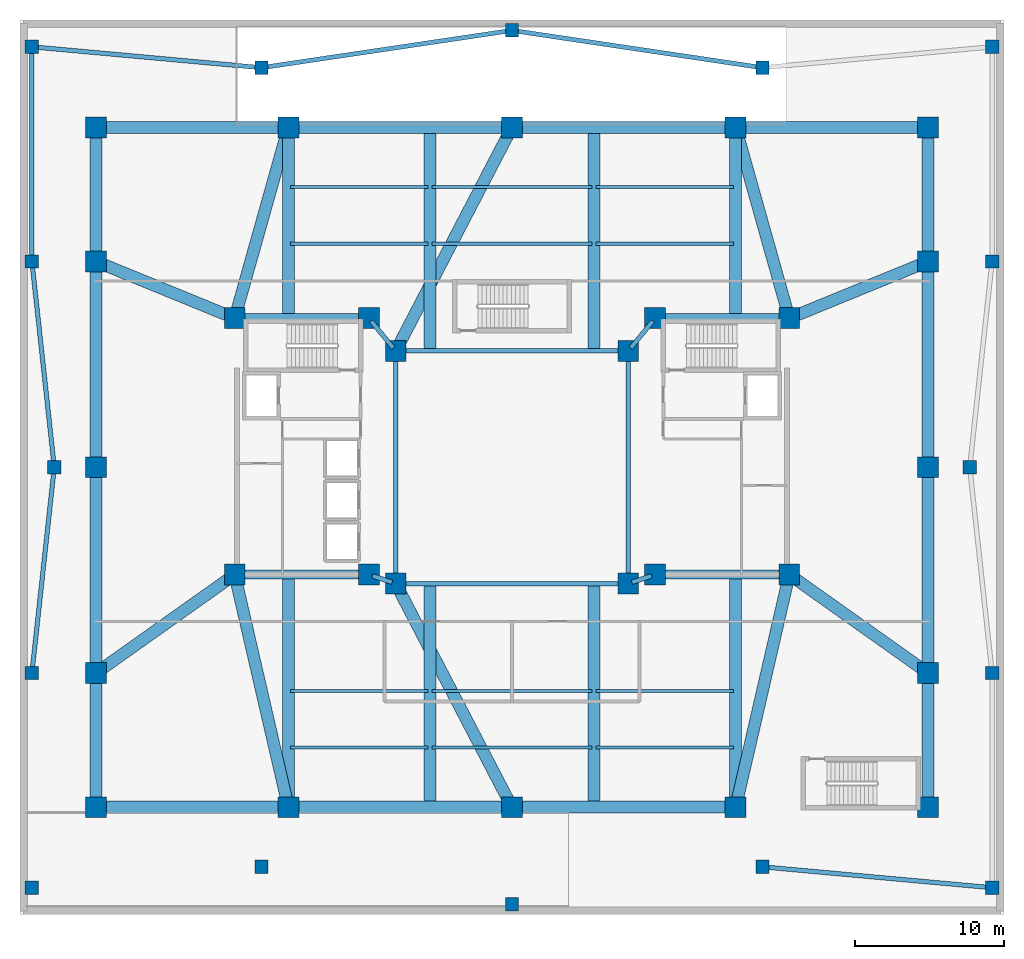
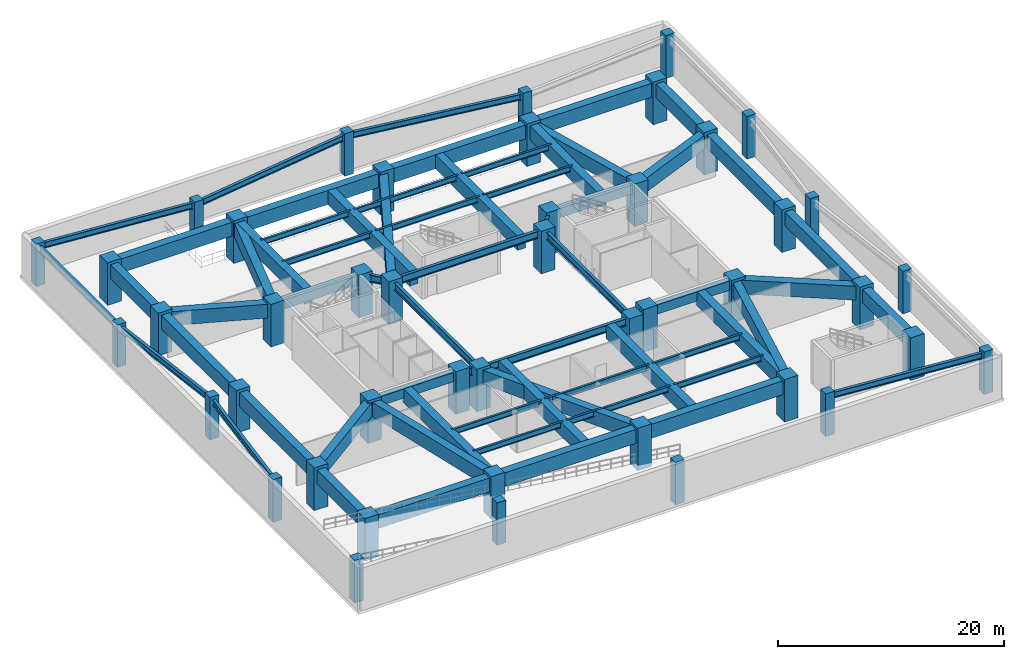
# One storey, part 1 of 8: 64 beams, 44 columns.
"""IFC4 building model written with IfcOpenShell, lengths in metres."""

from ifc_helpers import new_model, si_unit, direction, frame, origin, origin_2d, place, context, subcontext, project, spatial, rectangle, i_section, extrude, material, material_profile, profile_set, type_object, element, save


model = new_model("IFC4")

# Units and contexts
model_context = context("Model", 3, precision=1e-05, world=origin(), true_north=direction((0.0, 1.0)))
body_context = subcontext(model_context, "Body", "Model", "MODEL_VIEW")
ifc_project = project(units=[si_unit("LENGTHUNIT", "METRE"), si_unit("AREAUNIT", "SQUARE_METRE"), si_unit("VOLUMEUNIT", "CUBIC_METRE"), si_unit("PLANEANGLEUNIT", "RADIAN"), si_unit("MASSUNIT", "GRAM", prefix="KILO")], contexts=[model_context])

# Site, building, storey
site_placement = place(None, origin())
site = spatial("IfcSite", under=ifc_project, at=site_placement, CompositionType="ELEMENT")
building_placement = place(site_placement, origin())
building = spatial("IfcBuilding", under=site, at=building_placement, Name="Tarnavaz Court Tower", CompositionType="ELEMENT")
storey_placement = place(building_placement, frame((0.0, 0.0, -4.60009765625)))
storey = spatial("IfcBuildingStorey", under=building, at=storey_placement, Name="B01", CompositionType="ELEMENT", Elevation=-4.60009765625)

# Columns
ifc_material_1 = material(Name="Concrete C60/75", Category="concrete")
ifc_material_profile_1 = material_profile(ifc_material_1, rectangle(XDim=1.39990234375, YDim=1.39990234375, at=origin_2d()), Name="RC 1400X1400")
ifc_profile_set_1 = profile_set([ifc_material_profile_1], Name="Concrete C60/75")
column_type_1 = type_object("IfcColumnType", Name="CL-RC1400", PredefinedType="COLUMN", material=ifc_profile_set_1)
for number, where, z_axis, x_axis, name in (
    (1, (-7.800048828125, -7.800048828125, 0.0), (0.0, 0.0, 1.0), (1.0, 0.0, 0.0), "B01 Column IW-SW"),
    (2, (7.800048828125, -7.800048828125, 0.0), (0.0, 0.0, 1.0), (1.0, 0.0, 0.0), "B01 Column IW-SE"),
    (3, (-7.800048828125, 7.800048828125, 0.0), (0.0, 0.0, 1.0), (1.0, 0.0, 0.0), "B01 Column IW-NW"),
    (4, (7.800048828125, 7.800048828125, 0.0), (0.0, 0.0, 1.0), (1.0, 0.0, 0.0), "B01 Column IW-NE"),
    (5, (-9.60009765625, -7.199951171875, 0.0), (0.0, 0.0, 1.0), (1.0, 0.0, 0.0), "B01 Column CW-SI"),
    (6, (-9.60009765625, 10.0, 0.0), (0.0, 0.0, 1.0), (1.0, 0.0, 0.0), "B01 Column CW-NI"),
    (7, (9.60009765625, -7.199951171875, 0.0), (0.0, 0.0, 1.0), (1.0, 0.0, 0.0), "B01 Column CE-SI"),
    (8, (9.60009765625, 10.0, 0.0), (0.0, 0.0, 1.0), (1.0, 0.0, 0.0), "B01 Column CE-NI"),
    (9, (-18.60009765625, -7.199951171875, 0.0), (0.0, 0.0, 1.0), (1.0, 0.0, 0.0), "B01 Column CW-SO"),
    (10, (-18.60009765625, 10.0, 0.0), (0.0, 0.0, 1.0), (1.0, 0.0, 0.0), "B01 Column CW-NO"),
    (11, (18.60009765625, -7.199951171875, 0.0), (0.0, 0.0, 1.0), (1.0, 0.0, 0.0), "B01 Column CE-SO"),
    (12, (18.60009765625, 10.0, 0.0), (0.0, 0.0, 1.0), (1.0, 0.0, 0.0), "B01 Column CE-NO"),
    (13, (-27.89990234375, 22.800048828125, 0.0), (0.0, 0.0, 1.0), (1.0, 0.0, 0.0), "B01 Column PM-NW"),
    (14, (-15.0, 22.800048828125, 0.0), (0.0, 0.0, 1.0), (1.0, 0.0, 0.0), "B01 Column PM-N1"),
    (15, (0.0, 22.800048828125, 0.0), (0.0, 0.0, 1.0), (1.0, 0.0, 0.0), "B01 Column PM-N2"),
    (16, (15.0, 22.800048828125, 0.0), (0.0, 0.0, 1.0), (1.0, 0.0, 0.0), "B01 Column PM-N3"),
    (17, (27.89990234375, 22.800048828125, 0.0), (0.0, 0.0, 1.0), (1.0, 0.0, 0.0), "B01 Column PM-NE"),
    (18, (-27.89990234375, -22.800048828125, 0.0), (0.0, 0.0, 1.0), (1.0, 0.0, 0.0), "B01 Column PM-SW"),
    (19, (-15.0, -22.800048828125, 0.0), (0.0, 0.0, 1.0), (1.0, 0.0, 0.0), "B01 Column PM-S1"),
    (20, (0.0, -22.800048828125, 0.0), (0.0, 0.0, 1.0), (1.0, 0.0, 0.0), "B01 Column PM-S2"),
    (21, (15.0, -22.800048828125, 0.0), (0.0, 0.0, 1.0), (1.0, 0.0, 0.0), "B01 Column PM-S3"),
    (22, (27.89990234375, -22.800048828125, 0.0), (0.0, 0.0, 1.0), (1.0, 0.0, 0.0), "B01 Column PM-SE"),
    (23, (-27.89990234375, -13.800048828125, 0.0), (0.0, 0.0, 1.0), (1.0, 0.0, 0.0), "B01 Column PM-W1"),
    (24, (-27.89990234375, 0.0, 0.0), (0.0, 0.0, 1.0), (1.0, 0.0, 0.0), "B01 Column PM-W2"),
    (25, (-27.89990234375, 13.800048828125, 0.0), (0.0, 0.0, 1.0), (1.0, 0.0, 0.0), "B01 Column PM-W3"),
    (26, (27.89990234375, -13.800048828125, 0.0), (0.0, 0.0, 1.0), (1.0, 0.0, 0.0), "B01 Column PM-E1"),
    (27, (27.89990234375, 0.0, 0.0), (0.0, 0.0, 1.0), (1.0, 0.0, 0.0), "B01 Column PM-E2"),
    (28, (27.89990234375, 13.800048828125, 0.0), (0.0, 0.0, 1.0), (1.0, 0.0, 0.0), "B01 Column PM-E3"),
):
    element("IfcColumn", number, at=place(storey_placement, frame(where, z_axis=z_axis, x_axis=x_axis)), inside=storey, type_object=column_type_1, Name=name, PredefinedType="COLUMN", context=body_context, shape_type="SweptSolid", body=[
        extrude(rectangle(XDim=1.39990234375, YDim=1.39990234375, at=origin_2d()), origin(), (0.0, 0.0, 1.0), 4.60009765625),
    ])
ifc_material_2 = material(Name="Concrete C50/60", Category="concrete")
ifc_material_profile_2 = material_profile(ifc_material_2, rectangle(XDim=0.89990234375, YDim=0.89990234375, at=origin_2d()), Name="RC 900X900")
ifc_profile_set_2 = profile_set([ifc_material_profile_2], Name="Concrete C50/60")
column_type_2 = type_object("IfcColumnType", Name="CL-RC900", PredefinedType="COLUMN", material=ifc_profile_set_2)
for number, where, z_axis, x_axis, name in (
    (29, (-32.199951171875, -28.199951171875, 0.0), (0.0, 0.0, 1.0), (1.0, 0.0, 0.0), "B01 Column POD-SW1"),
    (30, (-32.199951171875, -13.800048828125, 0.0), (0.0, 0.0, 1.0), (1.0, 0.0, 0.0), "B01 Column POD-W1"),
    (31, (-30.699951171875, 0.0, 0.0), (0.0, 0.0, 1.0), (1.0, 0.0, 0.0), "B01 Column POD-W2"),
    (32, (-32.199951171875, 13.800048828125, 0.0), (0.0, 0.0, 1.0), (1.0, 0.0, 0.0), "B01 Column POD-W3"),
    (33, (-32.199951171875, 28.199951171875, 0.0), (0.0, 0.0, 1.0), (1.0, 0.0, 0.0), "B01 Column POD-NW1"),
    (34, (32.199951171875, -28.199951171875, 0.0), (0.0, 0.0, 1.0), (1.0, 0.0, 0.0), "B01 Column POD-SE1"),
    (35, (32.199951171875, -13.800048828125, 0.0), (0.0, 0.0, 1.0), (1.0, 0.0, 0.0), "B01 Column POD-E1"),
    (36, (30.699951171875, 0.0, 0.0), (0.0, 0.0, 1.0), (1.0, 0.0, 0.0), "B01 Column POD-E2"),
    (37, (32.199951171875, 13.800048828125, 0.0), (0.0, 0.0, 1.0), (1.0, 0.0, 0.0), "B01 Column POD-E3"),
    (38, (32.199951171875, 28.199951171875, 0.0), (0.0, 0.0, 1.0), (1.0, 0.0, 0.0), "B01 Column POD-NE1"),
    (39, (-16.800048828125, -26.800048828125, 0.0), (0.0, 0.0, 1.0), (1.0, 0.0, 0.0), "B01 Column POD-S1"),
    (40, (0.0, -29.300048828125, 0.0), (0.0, 0.0, 1.0), (1.0, 0.0, 0.0), "B01 Column POD-S2"),
    (41, (16.800048828125, -26.800048828125, 0.0), (0.0, 0.0, 1.0), (1.0, 0.0, 0.0), "B01 Column POD-S3"),
    (42, (-16.800048828125, 26.800048828125, 0.0), (0.0, 0.0, 1.0), (1.0, 0.0, 0.0), "B01 Column POD-N1"),
    (43, (0.0, 29.300048828125, 0.0), (0.0, 0.0, 1.0), (1.0, 0.0, 0.0), "B01 Column POD-N2"),
    (44, (16.800048828125, 26.800048828125, 0.0), (0.0, 0.0, 1.0), (1.0, 0.0, 0.0), "B01 Column POD-N3"),
):
    element("IfcColumn", number, at=place(storey_placement, frame(where, z_axis=z_axis, x_axis=x_axis)), inside=storey, type_object=column_type_2, Name=name, PredefinedType="COLUMN", context=body_context, shape_type="SweptSolid", body=[
        extrude(rectangle(XDim=0.89990234375, YDim=0.89990234375, at=origin_2d()), origin(), (0.0, 0.0, 1.0), 4.60009765625),
    ])

# Beams
ifc_material_profile_3 = material_profile(ifc_material_1, rectangle(XDim=0.60009765625, YDim=1.0, at=origin_2d()), Name="RC 600X1000")
ifc_profile_set_3 = profile_set([ifc_material_profile_3], Name="Concrete C60/75")
beam_type_1 = type_object("IfcBeamType", Name="BM-CB1000", PredefinedType="LINTEL", material=ifc_profile_set_3)
for number, where, z_axis, x_axis, name in (
    (45, (-18.35009765625, -7.199951171875, 3.800048828125), (1.0, 0.0, 0.0), (0.0, 1.0, 0.0), "B01 Beam CW-SO-CW-SI"),
    (46, (-18.35009765625, 10.0, 3.800048828125), (1.0, 0.0, 0.0), (0.0, 1.0, 0.0), "B01 Beam CW-NO-CW-NI"),
    (47, (18.35009765625, -7.199951171875, 3.800048828125), (-1.0, 0.0, 0.0), (0.0, -1.0, 0.0), "B01 Beam CE-SO-CE-SI"),
    (48, (18.35009765625, 10.0, 3.800048828125), (-1.0, 0.0, 0.0), (0.0, -1.0, 0.0), "B01 Beam CE-NO-CE-NI"),
):
    element("IfcBeam", number, at=place(storey_placement, frame(where, z_axis=z_axis, x_axis=x_axis)), inside=storey, type_object=beam_type_1, Name=name, PredefinedType="LINTEL", context=body_context, shape_type="SweptSolid", body=[
        extrude(rectangle(XDim=0.60009765625, YDim=1.0, at=origin_2d()), origin(), (0.0, 0.0, 1.0), 8.5),
    ])
ifc_material_3 = material(Name="Steel S355", Category="steel")
ifc_material_profile_4 = material_profile(ifc_material_3, i_section(OverallWidth=0.300048828125, OverallDepth=0.800048828125, WebThickness=0.017578125, FlangeThickness=0.032958984375, FilletRadius=0.030029296875, at=origin_2d()), Name="HEB 800")
ifc_profile_set_4 = profile_set([ifc_material_profile_4], Name="Steel S355")
beam_type_2 = type_object("IfcBeamType", Name="BM-G-HEB800", PredefinedType="USERDEFINED", material=ifc_profile_set_4)
for number, where, z_axis, x_axis, name in (
    (49, (-7.550048828125, -7.800048828125, 3.900146484375), (1.0, 0.0, 0.0), (0.0, 1.0, 0.0), "B01 Beam IW-SW-IW-SE"),
    (50, (-7.550048828125, 7.800048828125, 3.900146484375), (1.0, 0.0, 0.0), (0.0, 1.0, 0.0), "B01 Beam IW-NW-IW-NE"),
    (51, (-7.800048828125, -7.550048828125, 3.900146484375), (0.0, 1.0, 0.0), (-1.0, 0.0, 0.0), "B01 Beam IW-SW-IW-NW"),
    (52, (7.800048828125, -7.550048828125, 3.900146484375), (0.0, 1.0, 0.0), (-1.0, 0.0, 0.0), "B01 Beam IW-SE-IW-NE"),
):
    element("IfcBeam", number, at=place(storey_placement, frame(where, z_axis=z_axis, x_axis=x_axis)), inside=storey, type_object=beam_type_2, Name=name, ObjectType="GIRDER", PredefinedType="USERDEFINED", context=body_context, shape_type="SweptSolid", body=[
        extrude(i_section(OverallWidth=0.300048828125, OverallDepth=0.800048828125, WebThickness=0.017578125, FlangeThickness=0.032958984375, FilletRadius=0.030029296875, at=origin_2d()), origin(), (0.0, 0.0, 1.0), 15.10009765625),
    ])
for number, where, z_axis, x_axis, name in (
    (53, (-9.36279296875, -7.279052734375, 3.900146484375), (0.948683298051, -0.316227766017, 0.0), (0.316227766017, 0.948683298051, 0.0), "B01 Beam CW-SI-IW-SW"),
    (54, (9.36279296875, -7.279052734375, 3.900146484375), (-0.948683298051, -0.316227766017, 0.0), (0.316227766017, -0.948683298051, 0.0), "B01 Beam CE-SI-IW-SE"),
):
    element("IfcBeam", number, at=place(storey_placement, frame(where, z_axis=z_axis, x_axis=x_axis)), inside=storey, type_object=beam_type_2, Name=name, ObjectType="GIRDER", PredefinedType="USERDEFINED", context=body_context, shape_type="SweptSolid", body=[
        extrude(i_section(OverallWidth=0.300048828125, OverallDepth=0.800048828125, WebThickness=0.017578125, FlangeThickness=0.032958984375, FilletRadius=0.030029296875, at=origin_2d()), origin(), (0.0, 0.0, 1.0), 1.3974609375),
    ])
for number, where, z_axis, x_axis, name in (
    (55, (-9.441650390625, 9.806396484375, 3.900146484375), (0.633249141033, -0.773948012066, 0.0), (0.773948012066, 0.633249141033, 0.0), "B01 Beam CW-NI-IW-NW"),
    (56, (9.441650390625, 9.806396484375, 3.900146484375), (-0.633249141033, -0.773948012066, 0.0), (0.773948012066, -0.633249141033, 0.0), "B01 Beam CE-NI-IW-NE"),
):
    element("IfcBeam", number, at=place(storey_placement, frame(where, z_axis=z_axis, x_axis=x_axis)), inside=storey, type_object=beam_type_2, Name=name, ObjectType="GIRDER", PredefinedType="USERDEFINED", context=body_context, shape_type="SweptSolid", body=[
        extrude(i_section(OverallWidth=0.300048828125, OverallDepth=0.800048828125, WebThickness=0.017578125, FlangeThickness=0.032958984375, FilletRadius=0.030029296875, at=origin_2d()), origin(), (0.0, 0.0, 1.0), 2.342529296875),
    ])
ifc_material_profile_5 = material_profile(ifc_material_3, i_section(OverallWidth=0.219970703125, OverallDepth=0.60009765625, WebThickness=0.011962890625, FlangeThickness=0.01904296875, FilletRadius=0.02392578125, at=origin_2d()), Name="IPE 600")
ifc_profile_set_5 = profile_set([ifc_material_profile_5], Name="Steel S355")
beam_type_3 = type_object("IfcBeamType", Name="BM-J-IPE600", PredefinedType="JOIST", material=ifc_profile_set_5)
beam_1_placement = place(storey_placement, frame((-14.85009765625, 15.0, 4.0), z_axis=(1.0, 0.0, 0.0), x_axis=(0.0, 1.0, 0.0)))
element("IfcBeam", 57, at=beam_1_placement, inside=storey, type_object=beam_type_3, Name="B01 Beam PJN-1-1", PredefinedType="JOIST", context=body_context, shape_type="SweptSolid", body=[
    extrude(i_section(OverallWidth=0.219970703125, OverallDepth=0.60009765625, WebThickness=0.011962890625, FlangeThickness=0.01904296875, FilletRadius=0.02392578125, at=origin_2d()), origin(), (0.0, 0.0, 1.0), 9.2001953125),
])
beam_2_placement = place(storey_placement, frame((-5.35009765625, 15.0, 4.0), z_axis=(1.0, 0.0, 0.0), x_axis=(0.0, 1.0, 0.0)))
element("IfcBeam", 58, at=beam_2_placement, inside=storey, type_object=beam_type_3, Name="B01 Beam PJN-1-2", PredefinedType="JOIST", context=body_context, shape_type="SweptSolid", body=[
    extrude(i_section(OverallWidth=0.219970703125, OverallDepth=0.60009765625, WebThickness=0.011962890625, FlangeThickness=0.01904296875, FilletRadius=0.02392578125, at=origin_2d()), origin(), (0.0, 0.0, 1.0), 10.7001953125),
])
for number, where, z_axis, x_axis, name in (
    (59, (5.64990234375, 15.0, 4.0), (1.0, 0.0, 0.0), (0.0, 1.0, 0.0), "B01 Beam PJN-1-3"),
    (60, (-14.85009765625, 18.800048828125, 4.0), (1.0, 0.0, 0.0), (0.0, 1.0, 0.0), "B01 Beam PJN-2-1"),
):
    element("IfcBeam", number, at=place(storey_placement, frame(where, z_axis=z_axis, x_axis=x_axis)), inside=storey, type_object=beam_type_3, Name=name, PredefinedType="JOIST", context=body_context, shape_type="SweptSolid", body=[
        extrude(i_section(OverallWidth=0.219970703125, OverallDepth=0.60009765625, WebThickness=0.011962890625, FlangeThickness=0.01904296875, FilletRadius=0.02392578125, at=origin_2d()), origin(), (0.0, 0.0, 1.0), 9.2001953125),
    ])
beam_3_placement = place(storey_placement, frame((-5.35009765625, 18.800048828125, 4.0), z_axis=(1.0, 0.0, 0.0), x_axis=(0.0, 1.0, 0.0)))
element("IfcBeam", 61, at=beam_3_placement, inside=storey, type_object=beam_type_3, Name="B01 Beam PJN-2-2", PredefinedType="JOIST", context=body_context, shape_type="SweptSolid", body=[
    extrude(i_section(OverallWidth=0.219970703125, OverallDepth=0.60009765625, WebThickness=0.011962890625, FlangeThickness=0.01904296875, FilletRadius=0.02392578125, at=origin_2d()), origin(), (0.0, 0.0, 1.0), 10.7001953125),
])
for number, where, z_axis, x_axis, name in (
    (62, (5.64990234375, 18.800048828125, 4.0), (1.0, 0.0, 0.0), (0.0, 1.0, 0.0), "B01 Beam PJN-2-3"),
    (63, (-14.85009765625, -15.0, 4.0), (1.0, 0.0, 0.0), (0.0, 1.0, 0.0), "B01 Beam PJS-1-1"),
):
    element("IfcBeam", number, at=place(storey_placement, frame(where, z_axis=z_axis, x_axis=x_axis)), inside=storey, type_object=beam_type_3, Name=name, PredefinedType="JOIST", context=body_context, shape_type="SweptSolid", body=[
        extrude(i_section(OverallWidth=0.219970703125, OverallDepth=0.60009765625, WebThickness=0.011962890625, FlangeThickness=0.01904296875, FilletRadius=0.02392578125, at=origin_2d()), origin(), (0.0, 0.0, 1.0), 9.2001953125),
    ])
beam_4_placement = place(storey_placement, frame((-5.35009765625, -15.0, 4.0), z_axis=(1.0, 0.0, 0.0), x_axis=(0.0, 1.0, 0.0)))
element("IfcBeam", 64, at=beam_4_placement, inside=storey, type_object=beam_type_3, Name="B01 Beam PJS-1-2", PredefinedType="JOIST", context=body_context, shape_type="SweptSolid", body=[
    extrude(i_section(OverallWidth=0.219970703125, OverallDepth=0.60009765625, WebThickness=0.011962890625, FlangeThickness=0.01904296875, FilletRadius=0.02392578125, at=origin_2d()), origin(), (0.0, 0.0, 1.0), 10.7001953125),
])
for number, where, z_axis, x_axis, name in (
    (65, (5.64990234375, -15.0, 4.0), (1.0, 0.0, 0.0), (0.0, 1.0, 0.0), "B01 Beam PJS-1-3"),
    (66, (-14.85009765625, -18.800048828125, 4.0), (1.0, 0.0, 0.0), (0.0, 1.0, 0.0), "B01 Beam PJS-2-1"),
):
    element("IfcBeam", number, at=place(storey_placement, frame(where, z_axis=z_axis, x_axis=x_axis)), inside=storey, type_object=beam_type_3, Name=name, PredefinedType="JOIST", context=body_context, shape_type="SweptSolid", body=[
        extrude(i_section(OverallWidth=0.219970703125, OverallDepth=0.60009765625, WebThickness=0.011962890625, FlangeThickness=0.01904296875, FilletRadius=0.02392578125, at=origin_2d()), origin(), (0.0, 0.0, 1.0), 9.2001953125),
    ])
beam_5_placement = place(storey_placement, frame((-5.35009765625, -18.800048828125, 4.0), z_axis=(1.0, 0.0, 0.0), x_axis=(0.0, 1.0, 0.0)))
element("IfcBeam", 67, at=beam_5_placement, inside=storey, type_object=beam_type_3, Name="B01 Beam PJS-2-2", PredefinedType="JOIST", context=body_context, shape_type="SweptSolid", body=[
    extrude(i_section(OverallWidth=0.219970703125, OverallDepth=0.60009765625, WebThickness=0.011962890625, FlangeThickness=0.01904296875, FilletRadius=0.02392578125, at=origin_2d()), origin(), (0.0, 0.0, 1.0), 10.7001953125),
])
beam_6_placement = place(storey_placement, frame((5.64990234375, -18.800048828125, 4.0), z_axis=(1.0, 0.0, 0.0), x_axis=(0.0, 1.0, 0.0)))
element("IfcBeam", 68, at=beam_6_placement, inside=storey, type_object=beam_type_3, Name="B01 Beam PJS-2-3", PredefinedType="JOIST", context=body_context, shape_type="SweptSolid", body=[
    extrude(i_section(OverallWidth=0.219970703125, OverallDepth=0.60009765625, WebThickness=0.011962890625, FlangeThickness=0.01904296875, FilletRadius=0.02392578125, at=origin_2d()), origin(), (0.0, 0.0, 1.0), 9.2001953125),
])
ifc_material_profile_6 = material_profile(ifc_material_3, i_section(OverallWidth=0.300048828125, OverallDepth=0.639892578125, WebThickness=0.013427734375, FlangeThickness=0.02587890625, FilletRadius=0.027099609375, at=origin_2d()), Name="HEA 650")
ifc_profile_set_6 = profile_set([ifc_material_profile_6], Name="Steel S355")
beam_type_4 = type_object("IfcBeamType", Name="BM-SP-HEA650", PredefinedType="SPANDREL", material=ifc_profile_set_6)
for number, where, z_axis, x_axis, name in (
    (69, (-32.178466796875, -13.601318359375, 3.97998046875), (0.10805801352, 0.994144589944, 0.0), (-0.994144589944, 0.10805801352, 0.0), "B01 Beam PR-POD-W1-POD-W2"),
    (70, (-30.7216796875, 0.19873046875, 3.97998046875), (-0.10805801352, 0.994144589944, 0.0), (-0.994144589944, -0.10805801352, 0.0), "B01 Beam PR-POD-W2-POD-W3"),
):
    element("IfcBeam", number, at=place(storey_placement, frame(where, z_axis=z_axis, x_axis=x_axis)), inside=storey, type_object=beam_type_4, Name=name, PredefinedType="SPANDREL", context=body_context, shape_type="SweptSolid", body=[
        extrude(i_section(OverallWidth=0.300048828125, OverallDepth=0.639892578125, WebThickness=0.013427734375, FlangeThickness=0.02587890625, FilletRadius=0.027099609375, at=origin_2d()), origin(), (0.0, 0.0, 1.0), 13.4814453125),
    ])
beam_7_placement = place(storey_placement, frame((-32.199951171875, 14.0, 3.97998046875), z_axis=(0.0, 1.0, 0.0), x_axis=(-1.0, 0.0, 0.0)))
element("IfcBeam", 71, at=beam_7_placement, inside=storey, type_object=beam_type_4, Name="B01 Beam PR-POD-W3-POD-NW1", PredefinedType="SPANDREL", context=body_context, shape_type="SweptSolid", body=[
    extrude(i_section(OverallWidth=0.300048828125, OverallDepth=0.639892578125, WebThickness=0.013427734375, FlangeThickness=0.02587890625, FilletRadius=0.027099609375, at=origin_2d()), origin(), (0.0, 0.0, 1.0), 14.0),
])
for number, where, z_axis, x_axis, name in (
    (72, (16.999267578125, -26.818115234375, 3.97998046875), (0.995893206468, -0.090535746043, 0.0), (0.090535746043, 0.995893206468, 0.0), "B01 Beam PR-POD-S3-POD-SE1"),
    (73, (-32.000732421875, 28.181884765625, 3.97998046875), (0.995893206468, -0.090535746043, 0.0), (0.090535746043, 0.995893206468, 0.0), "B01 Beam PR-POD-NW1-POD-N1"),
):
    element("IfcBeam", number, at=place(storey_placement, frame(where, z_axis=z_axis, x_axis=x_axis)), inside=storey, type_object=beam_type_4, Name=name, PredefinedType="SPANDREL", context=body_context, shape_type="SweptSolid", body=[
        extrude(i_section(OverallWidth=0.300048828125, OverallDepth=0.639892578125, WebThickness=0.013427734375, FlangeThickness=0.02587890625, FilletRadius=0.027099609375, at=origin_2d()), origin(), (0.0, 0.0, 1.0), 15.063232421875),
    ])
for number, where, z_axis, x_axis, name in (
    (74, (-16.602294921875, 26.829345703125, 3.97998046875), (0.989108332922, 0.147189353368, 0.0), (-0.147189353368, 0.989108332922, 0.0), "B01 Beam PR-POD-N1-POD-N2"),
    (75, (0.19775390625, 29.2705078125, 3.97998046875), (0.989108332922, -0.147189353368, 0.0), (0.147189353368, 0.989108332922, 0.0), "B01 Beam PR-POD-N2-POD-N3"),
):
    element("IfcBeam", number, at=place(storey_placement, frame(where, z_axis=z_axis, x_axis=x_axis)), inside=storey, type_object=beam_type_4, Name=name, PredefinedType="SPANDREL", context=body_context, shape_type="SweptSolid", body=[
        extrude(i_section(OverallWidth=0.300048828125, OverallDepth=0.639892578125, WebThickness=0.013427734375, FlangeThickness=0.02587890625, FilletRadius=0.027099609375, at=origin_2d()), origin(), (0.0, 0.0, 1.0), 16.585205078125),
    ])
ifc_material_profile_7 = material_profile(ifc_material_2, rectangle(XDim=0.800048828125, YDim=1.5, at=origin_2d()), Name="RC 800X1500")
ifc_profile_set_7 = profile_set([ifc_material_profile_7], Name="Concrete C50/60")
beam_type_5 = type_object("IfcBeamType", Name="BM-TG1500", PredefinedType="USERDEFINED", material=ifc_profile_set_7)
beam_8_placement = place(storey_placement, frame((-27.64990234375, 22.800048828125, 3.550048828125), z_axis=(1.0, 0.0, 0.0), x_axis=(0.0, 1.0, 0.0)))
element("IfcBeam", 76, at=beam_8_placement, inside=storey, type_object=beam_type_5, Name="B01 Beam PM-PM-NW-PM-N1", ObjectType="GIRDER", PredefinedType="USERDEFINED", context=body_context, shape_type="SweptSolid", body=[
    extrude(rectangle(XDim=0.800048828125, YDim=1.5, at=origin_2d()), origin(), (0.0, 0.0, 1.0), 12.39990234375),
])
for number, where, z_axis, x_axis, name in (
    (77, (-14.75, 22.800048828125, 3.550048828125), (1.0, 0.0, 0.0), (0.0, 1.0, 0.0), "B01 Beam PM-PM-N1-PM-N2"),
    (78, (0.25, 22.800048828125, 3.550048828125), (1.0, 0.0, 0.0), (0.0, 1.0, 0.0), "B01 Beam PM-PM-N2-PM-N3"),
):
    element("IfcBeam", number, at=place(storey_placement, frame(where, z_axis=z_axis, x_axis=x_axis)), inside=storey, type_object=beam_type_5, Name=name, ObjectType="GIRDER", PredefinedType="USERDEFINED", context=body_context, shape_type="SweptSolid", body=[
        extrude(rectangle(XDim=0.800048828125, YDim=1.5, at=origin_2d()), origin(), (0.0, 0.0, 1.0), 14.5),
    ])
for number, where, z_axis, x_axis, name in (
    (79, (15.25, 22.800048828125, 3.550048828125), (1.0, 0.0, 0.0), (0.0, 1.0, 0.0), "B01 Beam PM-PM-N3-PM-NE"),
    (80, (-27.64990234375, -22.800048828125, 3.550048828125), (1.0, 0.0, 0.0), (0.0, 1.0, 0.0), "B01 Beam PM-PM-SW-PM-S1"),
):
    element("IfcBeam", number, at=place(storey_placement, frame(where, z_axis=z_axis, x_axis=x_axis)), inside=storey, type_object=beam_type_5, Name=name, ObjectType="GIRDER", PredefinedType="USERDEFINED", context=body_context, shape_type="SweptSolid", body=[
        extrude(rectangle(XDim=0.800048828125, YDim=1.5, at=origin_2d()), origin(), (0.0, 0.0, 1.0), 12.39990234375),
    ])
for number, where, z_axis, x_axis, name in (
    (81, (-14.75, -22.800048828125, 3.550048828125), (1.0, 0.0, 0.0), (0.0, 1.0, 0.0), "B01 Beam PM-PM-S1-PM-S2"),
    (82, (0.25, -22.800048828125, 3.550048828125), (1.0, 0.0, 0.0), (0.0, 1.0, 0.0), "B01 Beam PM-PM-S2-PM-S3"),
):
    element("IfcBeam", number, at=place(storey_placement, frame(where, z_axis=z_axis, x_axis=x_axis)), inside=storey, type_object=beam_type_5, Name=name, ObjectType="GIRDER", PredefinedType="USERDEFINED", context=body_context, shape_type="SweptSolid", body=[
        extrude(rectangle(XDim=0.800048828125, YDim=1.5, at=origin_2d()), origin(), (0.0, 0.0, 1.0), 14.5),
    ])
beam_9_placement = place(storey_placement, frame((-27.89990234375, -22.550048828125, 3.550048828125), z_axis=(0.0, 1.0, 0.0), x_axis=(-1.0, 0.0, 0.0)))
element("IfcBeam", 83, at=beam_9_placement, inside=storey, type_object=beam_type_5, Name="B01 Beam PM-PM-SW-PM-W1", ObjectType="GIRDER", PredefinedType="USERDEFINED", context=body_context, shape_type="SweptSolid", body=[
    extrude(rectangle(XDim=0.800048828125, YDim=1.5, at=origin_2d()), origin(), (0.0, 0.0, 1.0), 8.5),
])
for number, where, z_axis, x_axis, name in (
    (84, (-27.89990234375, -13.550048828125, 3.550048828125), (0.0, 1.0, 0.0), (-1.0, 0.0, 0.0), "B01 Beam PM-PM-W1-PM-W2"),
    (85, (-27.89990234375, 0.25, 3.550048828125), (0.0, 1.0, 0.0), (-1.0, 0.0, 0.0), "B01 Beam PM-PM-W2-PM-W3"),
):
    element("IfcBeam", number, at=place(storey_placement, frame(where, z_axis=z_axis, x_axis=x_axis)), inside=storey, type_object=beam_type_5, Name=name, ObjectType="GIRDER", PredefinedType="USERDEFINED", context=body_context, shape_type="SweptSolid", body=[
        extrude(rectangle(XDim=0.800048828125, YDim=1.5, at=origin_2d()), origin(), (0.0, 0.0, 1.0), 13.300048828125),
    ])
for number, where, z_axis, x_axis, name in (
    (86, (-27.89990234375, 14.050048828125, 3.550048828125), (0.0, 1.0, 0.0), (-1.0, 0.0, 0.0), "B01 Beam PM-PM-W3-PM-NW"),
    (87, (27.89990234375, -22.550048828125, 3.550048828125), (0.0, 1.0, 0.0), (-1.0, 0.0, 0.0), "B01 Beam PM-PM-SE-PM-E1"),
):
    element("IfcBeam", number, at=place(storey_placement, frame(where, z_axis=z_axis, x_axis=x_axis)), inside=storey, type_object=beam_type_5, Name=name, ObjectType="GIRDER", PredefinedType="USERDEFINED", context=body_context, shape_type="SweptSolid", body=[
        extrude(rectangle(XDim=0.800048828125, YDim=1.5, at=origin_2d()), origin(), (0.0, 0.0, 1.0), 8.5),
    ])
for number, where, z_axis, x_axis, name in (
    (88, (27.89990234375, -13.550048828125, 3.550048828125), (0.0, 1.0, 0.0), (-1.0, 0.0, 0.0), "B01 Beam PM-PM-E1-PM-E2"),
    (89, (27.89990234375, 0.25, 3.550048828125), (0.0, 1.0, 0.0), (-1.0, 0.0, 0.0), "B01 Beam PM-PM-E2-PM-E3"),
):
    element("IfcBeam", number, at=place(storey_placement, frame(where, z_axis=z_axis, x_axis=x_axis)), inside=storey, type_object=beam_type_5, Name=name, ObjectType="GIRDER", PredefinedType="USERDEFINED", context=body_context, shape_type="SweptSolid", body=[
        extrude(rectangle(XDim=0.800048828125, YDim=1.5, at=origin_2d()), origin(), (0.0, 0.0, 1.0), 13.300048828125),
    ])
beam_10_placement = place(storey_placement, frame((27.89990234375, 14.050048828125, 3.550048828125), z_axis=(0.0, 1.0, 0.0), x_axis=(-1.0, 0.0, 0.0)))
element("IfcBeam", 90, at=beam_10_placement, inside=storey, type_object=beam_type_5, Name="B01 Beam PM-PM-E3-PM-NE", ObjectType="GIRDER", PredefinedType="USERDEFINED", context=body_context, shape_type="SweptSolid", body=[
    extrude(rectangle(XDim=0.800048828125, YDim=1.5, at=origin_2d()), origin(), (0.0, 0.0, 1.0), 8.5),
])
beam_11_placement = place(storey_placement, frame((-18.5322265625, 10.24072265625, 3.550048828125), z_axis=(0.270745024415, 0.962651095545, 0.0), x_axis=(-0.962651095545, 0.270745024415, 0.0)))
element("IfcBeam", 91, at=beam_11_placement, inside=storey, type_object=beam_type_5, Name="B01 Beam PM-CW-NO-PM-N1", ObjectType="GIRDER", PredefinedType="USERDEFINED", context=body_context, shape_type="SweptSolid", body=[
    extrude(rectangle(XDim=0.800048828125, YDim=1.5, at=origin_2d()), origin(), (0.0, 0.0, 1.0), 12.796630859375),
])
beam_12_placement = place(storey_placement, frame((-7.684814453125, 8.021728515625, 3.550048828125), z_axis=(0.461364918236, 0.887210466699, 0.0), x_axis=(-0.887210466699, 0.461364918236, 0.0)))
element("IfcBeam", 92, at=beam_12_placement, inside=storey, type_object=beam_type_5, Name="B01 Beam PM-IW-NW-PM-N2", ObjectType="GIRDER", PredefinedType="USERDEFINED", context=body_context, shape_type="SweptSolid", body=[
    extrude(rectangle(XDim=0.800048828125, YDim=1.5, at=origin_2d()), origin(), (0.0, 0.0, 1.0), 16.406982421875),
])
beam_13_placement = place(storey_placement, frame((18.5322265625, 10.24072265625, 3.550048828125), z_axis=(-0.270745024415, 0.962651095545, 0.0), x_axis=(-0.962651095545, -0.270745024415, 0.0)))
element("IfcBeam", 93, at=beam_13_placement, inside=storey, type_object=beam_type_5, Name="B01 Beam PM-CE-NO-PM-N3", ObjectType="GIRDER", PredefinedType="USERDEFINED", context=body_context, shape_type="SweptSolid", body=[
    extrude(rectangle(XDim=0.800048828125, YDim=1.5, at=origin_2d()), origin(), (0.0, 0.0, 1.0), 12.796630859375),
])
beam_14_placement = place(storey_placement, frame((-18.543701171875, -7.443603515625, 3.550048828125), z_axis=(0.224858357084, -0.97439146099, 0.0), x_axis=(0.97439146099, 0.224858357084, 0.0)))
element("IfcBeam", 94, at=beam_14_placement, inside=storey, type_object=beam_type_5, Name="B01 Beam PM-CW-SO-PM-S1", ObjectType="GIRDER", PredefinedType="USERDEFINED", context=body_context, shape_type="SweptSolid", body=[
    extrude(rectangle(XDim=0.800048828125, YDim=1.5, at=origin_2d()), origin(), (0.0, 0.0, 1.0), 15.510009765625),
])
beam_15_placement = place(storey_placement, frame((-7.684814453125, -8.021728515625, 3.550048828125), z_axis=(0.461364918236, -0.887210466699, 0.0), x_axis=(0.887210466699, 0.461364918236, 0.0)))
element("IfcBeam", 95, at=beam_15_placement, inside=storey, type_object=beam_type_5, Name="B01 Beam PM-IW-SW-PM-S2", ObjectType="GIRDER", PredefinedType="USERDEFINED", context=body_context, shape_type="SweptSolid", body=[
    extrude(rectangle(XDim=0.800048828125, YDim=1.5, at=origin_2d()), origin(), (0.0, 0.0, 1.0), 16.406982421875),
])
beam_16_placement = place(storey_placement, frame((18.543701171875, -7.443603515625, 3.550048828125), z_axis=(-0.224858357084, -0.97439146099, 0.0), x_axis=(0.97439146099, -0.224858357084, 0.0)))
element("IfcBeam", 96, at=beam_16_placement, inside=storey, type_object=beam_type_5, Name="B01 Beam PM-CE-SO-PM-S3", ObjectType="GIRDER", PredefinedType="USERDEFINED", context=body_context, shape_type="SweptSolid", body=[
    extrude(rectangle(XDim=0.800048828125, YDim=1.5, at=origin_2d()), origin(), (0.0, 0.0, 1.0), 15.510009765625),
])
beam_17_placement = place(storey_placement, frame((-18.803955078125, -7.3447265625, 3.550048828125), z_axis=(-0.815505781161, -0.578748927336, 0.0), x_axis=(0.578748927336, -0.815505781161, 0.0)))
element("IfcBeam", 97, at=beam_17_placement, inside=storey, type_object=beam_type_5, Name="B01 Beam PM-CW-SO-PM-W1", ObjectType="GIRDER", PredefinedType="USERDEFINED", context=body_context, shape_type="SweptSolid", body=[
    extrude(rectangle(XDim=0.800048828125, YDim=1.5, at=origin_2d()), origin(), (0.0, 0.0, 1.0), 10.90380859375),
])
beam_18_placement = place(storey_placement, frame((-18.831298828125, 10.094482421875, 3.550048828125), z_axis=(-0.925710630755, 0.378232505356, 0.0), x_axis=(-0.378232505356, -0.925710630755, 0.0)))
element("IfcBeam", 98, at=beam_18_placement, inside=storey, type_object=beam_type_5, Name="B01 Beam PM-CW-NO-PM-W3", ObjectType="GIRDER", PredefinedType="USERDEFINED", context=body_context, shape_type="SweptSolid", body=[
    extrude(rectangle(XDim=0.800048828125, YDim=1.5, at=origin_2d()), origin(), (0.0, 0.0, 1.0), 9.546630859375),
])
beam_19_placement = place(storey_placement, frame((18.803955078125, -7.3447265625, 3.550048828125), z_axis=(0.815505781161, -0.578748927336, 0.0), x_axis=(0.578748927336, 0.815505781161, 0.0)))
element("IfcBeam", 99, at=beam_19_placement, inside=storey, type_object=beam_type_5, Name="B01 Beam PM-CE-SO-PM-E1", ObjectType="GIRDER", PredefinedType="USERDEFINED", context=body_context, shape_type="SweptSolid", body=[
    extrude(rectangle(XDim=0.800048828125, YDim=1.5, at=origin_2d()), origin(), (0.0, 0.0, 1.0), 10.90380859375),
])
beam_20_placement = place(storey_placement, frame((18.831298828125, 10.094482421875, 3.550048828125), z_axis=(0.925710630755, 0.378232505356, 0.0), x_axis=(-0.378232505356, 0.925710630755, 0.0)))
element("IfcBeam", 100, at=beam_20_placement, inside=storey, type_object=beam_type_5, Name="B01 Beam PM-CE-NO-PM-E3", ObjectType="GIRDER", PredefinedType="USERDEFINED", context=body_context, shape_type="SweptSolid", body=[
    extrude(rectangle(XDim=0.800048828125, YDim=1.5, at=origin_2d()), origin(), (0.0, 0.0, 1.0), 9.546630859375),
])
beam_21_placement = place(storey_placement, frame((-15.0, 10.0400390625, 3.550048828125), z_axis=(0.0, 1.0, 0.0), x_axis=(-1.0, 0.0, 0.0)))
element("IfcBeam", 101, at=beam_21_placement, inside=storey, type_object=beam_type_5, Name="B01 Beam PM-NS-NW", ObjectType="GIRDER", PredefinedType="USERDEFINED", context=body_context, shape_type="SweptSolid", body=[
    extrude(rectangle(XDim=0.800048828125, YDim=1.5, at=origin_2d()), origin(), (0.0, 0.0, 1.0), 12.719970703125),
])
beam_22_placement = place(storey_placement, frame((-15.0, -7.239990234375, 3.550048828125), z_axis=(0.0, -1.0, 0.0), x_axis=(1.0, 0.0, 0.0)))
element("IfcBeam", 102, at=beam_22_placement, inside=storey, type_object=beam_type_5, Name="B01 Beam PM-NS-SW", ObjectType="GIRDER", PredefinedType="USERDEFINED", context=body_context, shape_type="SweptSolid", body=[
    extrude(rectangle(XDim=0.800048828125, YDim=1.5, at=origin_2d()), origin(), (0.0, 0.0, 1.0), 15.52001953125),
])
for number, where, z_axis, x_axis, name in (
    (103, (-5.5, 7.840087890625, 3.550048828125), (0.0, 1.0, 0.0), (-1.0, 0.0, 0.0), "B01 Beam PM-NS-NCW"),
    (104, (-5.5, -7.840087890625, 3.550048828125), (0.0, -1.0, 0.0), (1.0, 0.0, 0.0), "B01 Beam PM-NS-SCW"),
    (105, (5.5, 7.840087890625, 3.550048828125), (0.0, 1.0, 0.0), (-1.0, 0.0, 0.0), "B01 Beam PM-NS-NCE"),
    (106, (5.5, -7.840087890625, 3.550048828125), (0.0, -1.0, 0.0), (1.0, 0.0, 0.0), "B01 Beam PM-NS-SCE"),
):
    element("IfcBeam", number, at=place(storey_placement, frame(where, z_axis=z_axis, x_axis=x_axis)), inside=storey, type_object=beam_type_5, Name=name, ObjectType="GIRDER", PredefinedType="USERDEFINED", context=body_context, shape_type="SweptSolid", body=[
        extrude(rectangle(XDim=0.800048828125, YDim=1.5, at=origin_2d()), origin(), (0.0, 0.0, 1.0), 14.919921875),
    ])
beam_23_placement = place(storey_placement, frame((15.0, 10.0400390625, 3.550048828125), z_axis=(0.0, 1.0, 0.0), x_axis=(-1.0, 0.0, 0.0)))
element("IfcBeam", 107, at=beam_23_placement, inside=storey, type_object=beam_type_5, Name="B01 Beam PM-NS-NE", ObjectType="GIRDER", PredefinedType="USERDEFINED", context=body_context, shape_type="SweptSolid", body=[
    extrude(rectangle(XDim=0.800048828125, YDim=1.5, at=origin_2d()), origin(), (0.0, 0.0, 1.0), 12.719970703125),
])
beam_24_placement = place(storey_placement, frame((15.0, -7.239990234375, 3.550048828125), z_axis=(0.0, -1.0, 0.0), x_axis=(1.0, 0.0, 0.0)))
element("IfcBeam", 108, at=beam_24_placement, inside=storey, type_object=beam_type_5, Name="B01 Beam PM-NS-SE", ObjectType="GIRDER", PredefinedType="USERDEFINED", context=body_context, shape_type="SweptSolid", body=[
    extrude(rectangle(XDim=0.800048828125, YDim=1.5, at=origin_2d()), origin(), (0.0, 0.0, 1.0), 15.52001953125),
])

save(model, "model.ifc")
